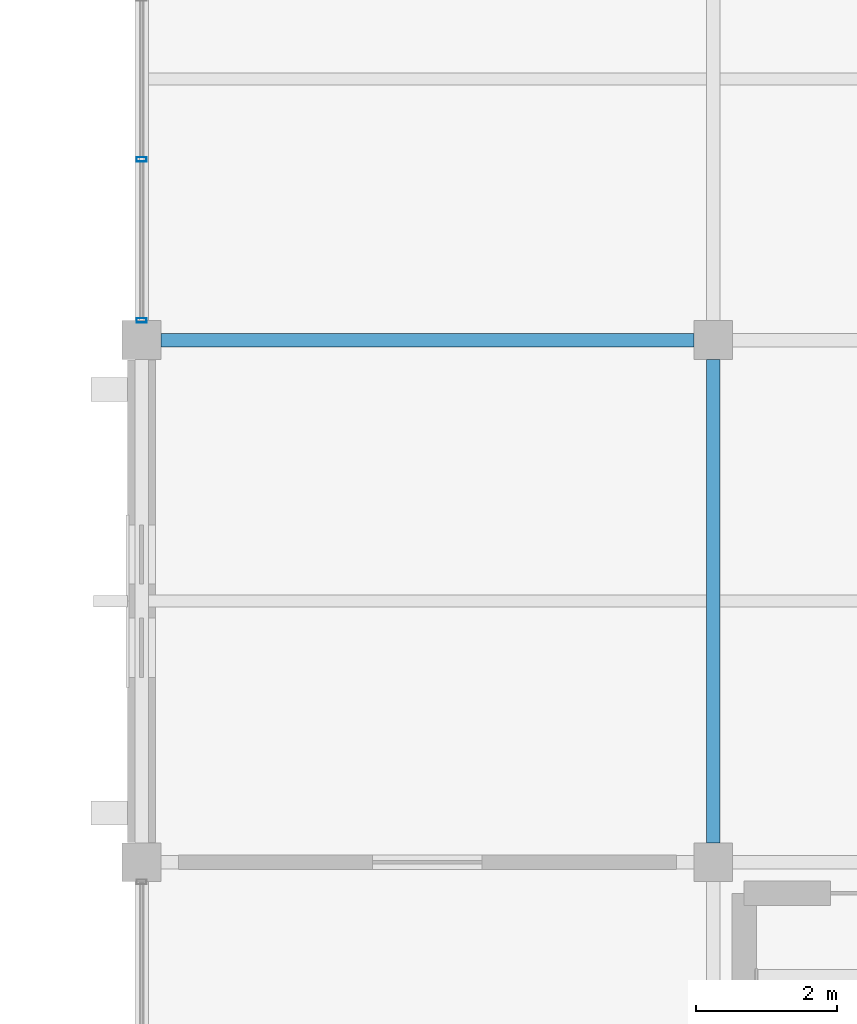
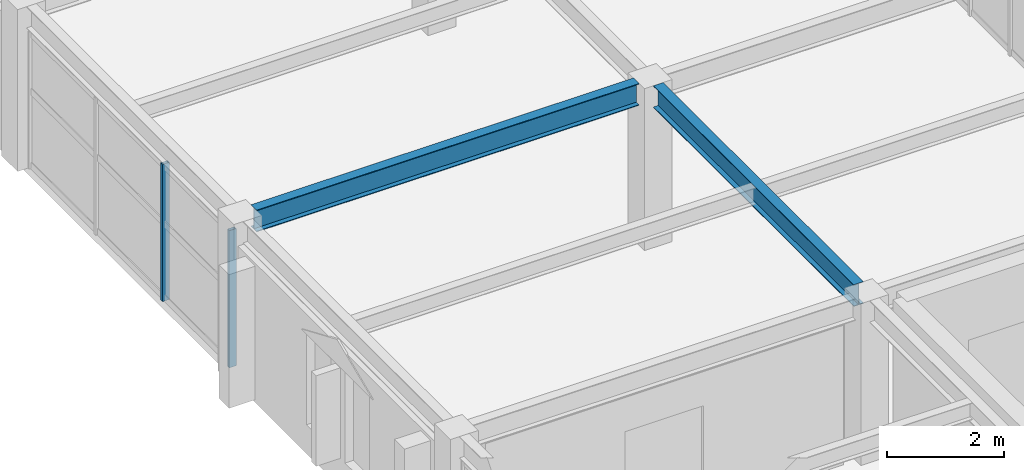
# One storey, part 21 of 93: 2 beams, 2 members, 1 element without a shape of its own.
"""IFC4 building model written with IfcOpenShell, lengths in metres."""

from ifc_helpers import new_model, si_unit, direction, frame, origin, origin_2d, place, context, subcontext, project, spatial, hollow_rectangle, i_section, extrude, material, material_profile, profile_set, type_object, element, aggregate, save


model = new_model("IFC4")

# Units and contexts
model_context = context("Model", 3, precision=1e-05, world=origin(), true_north=direction((0.0, 1.0)))
body_context = subcontext(model_context, "Body", "Model", "MODEL_VIEW")
ifc_project = project(units=[si_unit("LENGTHUNIT", "METRE"), si_unit("AREAUNIT", "SQUARE_METRE"), si_unit("VOLUMEUNIT", "CUBIC_METRE"), si_unit("PLANEANGLEUNIT", "RADIAN"), si_unit("MASSUNIT", "GRAM", prefix="KILO")], contexts=[model_context])

# Site, building, storey
site_placement = place(None, origin())
site = spatial("IfcSite", under=ifc_project, at=site_placement, CompositionType="ELEMENT")
building_placement = place(site_placement, origin())
building = spatial("IfcBuilding", under=site, at=building_placement, Name="Cimatlan Art Gallery", CompositionType="ELEMENT")
storey_placement = place(building_placement, frame((0.0, 0.0, 13.800048828125)))
storey = spatial("IfcBuildingStorey", under=building, at=storey_placement, Name="L03", CompositionType="ELEMENT", Elevation=13.800048828125)

# Beams
ifc_material_1 = material(Name="Steel ASTM A992 Grade 50", Category="steel")
ifc_material_profile_1 = material_profile(ifc_material_1, i_section(OverallWidth=0.19091796875, OverallDepth=0.45703125, WebThickness=0.009033203125, FlangeThickness=0.014404296875, at=origin_2d()), Name="W18X50")
ifc_profile_set_1 = profile_set([ifc_material_profile_1], Name="Steel ASTM A992 Grade 50")
beam_type = type_object("IfcBeamType", Name="BM-STL-W18X50", PredefinedType="BEAM", material=ifc_profile_set_1)
beam_1_placement = place(storey_placement, frame((42.5, 61.175048828125, 3.1513671875), z_axis=(0.0, 1.0, 0.0), x_axis=(-1.0, 0.0, 0.0)))
element("IfcBeam", 1, at=beam_1_placement, inside=storey, type_object=beam_type, Name="BM-Y-L03-05-08", PredefinedType="BEAM", context=body_context, shape_type="SweptSolid", body=[
    extrude(i_section(OverallWidth=0.19091796875, OverallDepth=0.45703125, WebThickness=0.009033203125, FlangeThickness=0.014404296875, at=origin_2d()), origin(), (0.0, 0.0, 1.0), 6.849853515625),
])
beam_2_placement = place(storey_placement, frame((34.675048828125, 68.300048828125, 3.1513671875), z_axis=(1.0, 0.0, 0.0), x_axis=(0.0, 1.0, 0.0)))
element("IfcBeam", 2, at=beam_2_placement, inside=storey, type_object=beam_type, Name="BM-X-L03-04-09", PredefinedType="BEAM", context=body_context, shape_type="SweptSolid", body=[
    extrude(i_section(OverallWidth=0.19091796875, OverallDepth=0.45703125, WebThickness=0.009033203125, FlangeThickness=0.014404296875, at=origin_2d()), origin(), (0.0, 0.0, 1.0), 7.550048828125),
])

# Curtain wall, members
ifc_material_2 = material(Name="Anodised bronze unitised curtain wall")
curtain_wall_type = type_object("IfcCurtainWallType", Name="CW-V-06842X02863-B3", PredefinedType="NOTDEFINED", material=ifc_material_2)
curtain_wall_placement = place(storey_placement, origin())
curtain_wall = element("IfcCurtainWall", 3, at=curtain_wall_placement, inside=storey, type_object=curtain_wall_type, Name="CW-L03-04-09-W", PredefinedType="NOTDEFINED")
ifc_material_3 = material(Name="Anodised bronze aluminium 6063-T6", Category="aluminium")
ifc_material_profile_2 = material_profile(ifc_material_3, hollow_rectangle(XDim=0.06494140625, YDim=0.139892578125, WallThickness=0.00390625, at=origin_2d()), Name="ALU65X140X4")
ifc_profile_set_2 = profile_set([ifc_material_profile_2], Name="Anodised bronze aluminium 6063-T6")
member_type = type_object("IfcMemberType", Name="CW-MUL-140", PredefinedType="MULLION", material=ifc_profile_set_2)
member_1_placement = place(storey_placement, frame((34.39990234375, 68.5791015625, 0.0), z_axis=(0.0, 0.0, 1.0), x_axis=(0.0, 1.0, 0.0)))
member_1 = element("IfcMember", 4, at=member_1_placement, type_object=member_type, Name="CW-L03-04-09-W-M1", PredefinedType="MULLION", context=body_context, shape_type="SweptSolid", body=[
    extrude(hollow_rectangle(XDim=0.06494140625, YDim=0.139892578125, WallThickness=0.00390625, at=origin_2d()), origin(), (0.0, 0.0, 1.0), 2.863037109375),
])
member_2_placement = place(storey_placement, frame((34.39990234375, 70.859619140625, 0.0), z_axis=(0.0, 0.0, 1.0), x_axis=(0.0, 1.0, 0.0)))
member_2 = element("IfcMember", 5, at=member_2_placement, type_object=member_type, Name="CW-L03-04-09-W-M2", PredefinedType="MULLION", context=body_context, shape_type="SweptSolid", body=[
    extrude(hollow_rectangle(XDim=0.06494140625, YDim=0.139892578125, WallThickness=0.00390625, at=origin_2d()), origin(), (0.0, 0.0, 1.0), 2.863037109375),
])
aggregate(curtain_wall, [member_1, member_2])

save(model, "model.ifc")
